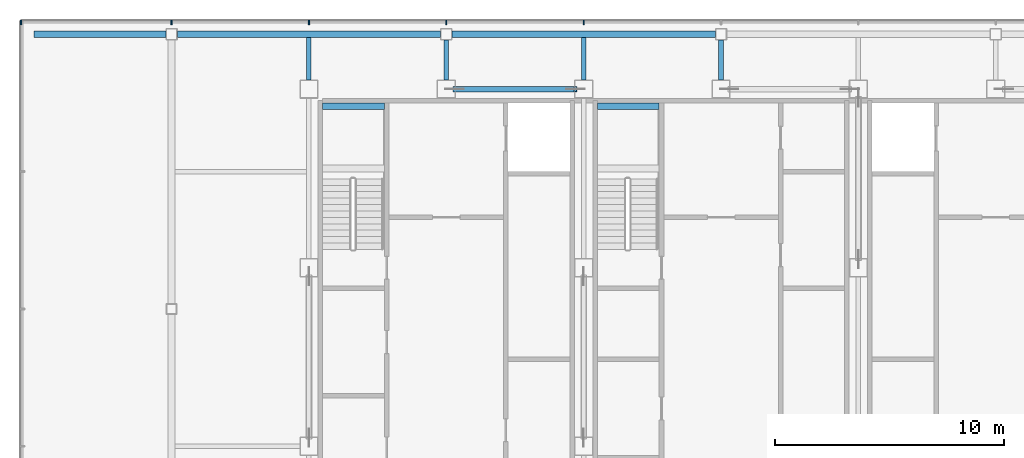
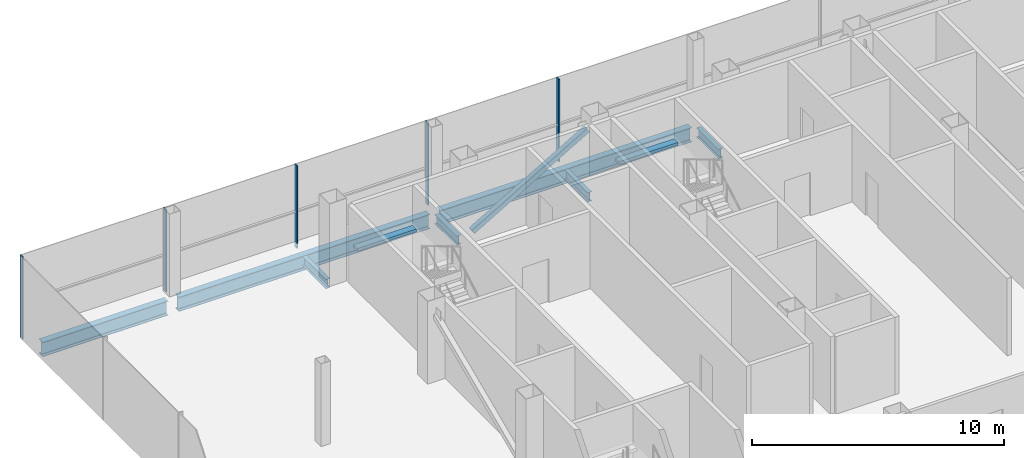
# One storey, part 10 of 18: 9 beams, 6 members, 1 element without a shape of its own.
"""IFC4 building model written with IfcOpenShell, lengths in metres."""

from ifc_helpers import new_model, si_unit, direction, frame, origin, origin_2d, place, context, subcontext, project, spatial, rectangle, hollow_rectangle, i_section, extrude, material, material_profile, profile_set, type_object, element, aggregate, save


model = new_model("IFC4")

# Units and contexts
model_context = context("Model", 3, precision=1e-05, world=origin(), true_north=direction((0.0, 1.0)))
body_context = subcontext(model_context, "Body", "Model", "MODEL_VIEW")
ifc_project = project(units=[si_unit("LENGTHUNIT", "METRE"), si_unit("AREAUNIT", "SQUARE_METRE"), si_unit("VOLUMEUNIT", "CUBIC_METRE"), si_unit("PLANEANGLEUNIT", "RADIAN"), si_unit("MASSUNIT", "GRAM", prefix="KILO")], contexts=[model_context])

# Site, building, storey
site_placement = place(None, origin())
site = spatial("IfcSite", under=ifc_project, at=site_placement, CompositionType="ELEMENT")
building_placement = place(site_placement, origin())
building = spatial("IfcBuilding", under=site, at=building_placement, Name="Sorahane Residences", CompositionType="ELEMENT")
storey_placement = place(building_placement, frame((0.0, 0.0, 345.800048828125)))
storey = spatial("IfcBuildingStorey", under=building, at=storey_placement, Name="L82", CompositionType="ELEMENT", Elevation=345.800048828125)

# Member
ifc_material_1 = material(Name="Steel Q355B", Category="steel")
ifc_material_profile_1 = material_profile(ifc_material_1, hollow_rectangle(XDim=0.25, YDim=0.25, WallThickness=0.011962890625, InnerFilletRadius=0.006103515625, OuterFilletRadius=0.01806640625, at=origin_2d()), Name="RHS 250x250x12")
ifc_profile_set_1 = profile_set([ifc_material_profile_1], Name="Steel Q355B")
member_type_1 = type_object("IfcMemberType", Name="Core brace RHS 250x250x12 Q355B", PredefinedType="BRACE", material=ifc_profile_set_1)
member_1_placement = place(storey_placement, frame((12.362060546875, 45.60009765625, 0.102783203125), z_axis=(0.862574842184, 0.0, 0.505929482864), x_axis=(0.0, 1.0, 0.0)))
element("IfcMember", 1, at=member_1_placement, inside=storey, type_object=member_type_1, Name="Core brace L82 y45.6-2", PredefinedType="BRACE", context=body_context, shape_type="SweptSolid", body=[
    extrude(hollow_rectangle(XDim=0.25, YDim=0.25, WallThickness=0.011962890625, InnerFilletRadius=0.006103515625, OuterFilletRadius=0.01806640625, at=origin_2d()), origin(), (0.0, 0.0, 1.0), 6.116455078125),
])

# Curtain wall, members
ifc_material_2 = material(Name="Dark low-e glass and black anodised aluminium", Category="aluminium")
curtain_wall_type = type_object("IfcCurtainWallType", Name="Curtain wall CW-6 Crown unitised wall", PredefinedType="NOTDEFINED", material=ifc_material_2)
curtain_wall_placement = place(storey_placement, origin())
curtain_wall = element("IfcCurtainWall", 2, at=curtain_wall_placement, inside=storey, type_object=curtain_wall_type, Name="CW-6 curtain wall L82 N1", PredefinedType="NOTDEFINED")
ifc_material_3 = material(Name="Black anodised aluminium", Category="aluminium")
ifc_material_profile_2 = material_profile(ifc_material_3, rectangle(XDim=0.199951171875, YDim=0.050048828125, at=origin_2d()), Name="Curtain wall mullion CW-6 black anodised aluminium 50x200")
ifc_profile_set_2 = profile_set([ifc_material_profile_2], Name="Black anodised aluminium")
member_type_2 = type_object("IfcMemberType", Name="Curtain wall mullion CW-6 black anodised aluminium 50x200", PredefinedType="MULLION", material=ifc_profile_set_2)
member_2_placement = place(storey_placement, frame((18.0, 48.52001953125, -0.25), z_axis=(0.0, 0.0, 1.0), x_axis=(0.0, 1.0, 0.0)))
member_2 = element("IfcMember", 3, at=member_2_placement, type_object=member_type_2, Name="CW-6 mullion L82 N1.5", PredefinedType="MULLION", context=body_context, shape_type="SweptSolid", body=[
    extrude(rectangle(XDim=0.199951171875, YDim=0.050048828125, at=origin_2d()), origin(), (0.0, 0.0, 1.0), 4.0),
])
member_3_placement = place(storey_placement, frame((12.0, 48.52001953125, -0.25), z_axis=(0.0, 0.0, 1.0), x_axis=(0.0, 1.0, 0.0)))
member_3 = element("IfcMember", 4, at=member_3_placement, type_object=member_type_2, Name="CW-6 mullion L82 N1.6", PredefinedType="MULLION", context=body_context, shape_type="SweptSolid", body=[
    extrude(rectangle(XDim=0.199951171875, YDim=0.050048828125, at=origin_2d()), origin(), (0.0, 0.0, 1.0), 4.0),
])
member_4_placement = place(storey_placement, frame((6.0, 48.52001953125, -0.25), z_axis=(0.0, 0.0, 1.0), x_axis=(0.0, 1.0, 0.0)))
member_4 = element("IfcMember", 5, at=member_4_placement, type_object=member_type_2, Name="CW-6 mullion L82 N1.7", PredefinedType="MULLION", context=body_context, shape_type="SweptSolid", body=[
    extrude(rectangle(XDim=0.199951171875, YDim=0.050048828125, at=origin_2d()), origin(), (0.0, 0.0, 1.0), 4.0),
])
member_5_placement = place(storey_placement, frame((0.0, 48.52001953125, -0.25), z_axis=(0.0, 0.0, 1.0), x_axis=(0.0, 1.0, 0.0)))
member_5 = element("IfcMember", 6, at=member_5_placement, type_object=member_type_2, Name="CW-6 mullion L82 N1.8", PredefinedType="MULLION", context=body_context, shape_type="SweptSolid", body=[
    extrude(rectangle(XDim=0.199951171875, YDim=0.050048828125, at=origin_2d()), origin(), (0.0, 0.0, 1.0), 4.0),
])
member_6_placement = place(storey_placement, frame((-6.574951171875, 48.52001953125, -0.25), z_axis=(0.0, 0.0, 1.0), x_axis=(0.0, 1.0, 0.0)))
member_6 = element("IfcMember", 7, at=member_6_placement, type_object=member_type_2, Name="CW-6 mullion L82 N1.9", PredefinedType="MULLION", context=body_context, shape_type="SweptSolid", body=[
    extrude(rectangle(XDim=0.199951171875, YDim=0.050048828125, at=origin_2d()), origin(), (0.0, 0.0, 1.0), 4.0),
])
aggregate(curtain_wall, [member_2, member_3, member_4, member_5, member_6])

# Beams
ifc_material_4 = material(Name="Concrete C40", Category="concrete")
ifc_material_profile_3 = material_profile(ifc_material_4, rectangle(XDim=0.300048828125, YDim=0.139892578125, at=origin_2d()), Name="300x140")
ifc_profile_set_3 = profile_set([ifc_material_profile_3], Name="Concrete C40")
beam_type_1 = type_object("IfcBeamType", Name="RC landing beam 300 x 140 Concrete C40", PredefinedType="BEAM", material=ifc_profile_set_3)
for number, where, z_axis, x_axis, name in (
    (8, (6.60009765625, 44.85009765625, 1.72998046875), (1.0, 0.0, 0.0), (0.0, 1.0, 0.0), "Landing beam"),
    (9, (18.60009765625, 44.85009765625, 1.72998046875), (1.0, 0.0, 0.0), (0.0, 1.0, 0.0), "Landing beam"),
):
    element("IfcBeam", number, at=place(storey_placement, frame(where, z_axis=z_axis, x_axis=x_axis)), inside=storey, type_object=beam_type_1, Name=name, PredefinedType="BEAM", context=body_context, shape_type="SweptSolid", body=[
        extrude(rectangle(XDim=0.300048828125, YDim=0.139892578125, at=origin_2d()), origin(), (0.0, 0.0, 1.0), 2.699951171875),
    ])
ifc_material_5 = material(Name="Steel Q355B", Category="steel")
ifc_material_profile_4 = material_profile(ifc_material_5, i_section(OverallWidth=0.199951171875, OverallDepth=0.449951171875, WebThickness=0.009033203125, FlangeThickness=0.013916015625, FilletRadius=0.02001953125, at=origin_2d()), Name="HN 450x200x9x14")
ifc_profile_set_4 = profile_set([ifc_material_profile_4], Name="Steel Q355B")
beam_type_2 = type_object("IfcBeamType", Name="Steel floor beam HN 450x200x9x14 Q355B", PredefinedType="BEAM", material=ifc_profile_set_4)
beam_1_placement = place(storey_placement, frame((6.0, 46.0, -0.47509765625), z_axis=(0.0, 1.0, 0.0), x_axis=(-1.0, 0.0, 0.0)))
element("IfcBeam", 10, at=beam_1_placement, inside=storey, type_object=beam_type_2, Name="Beam L82 015", PredefinedType="BEAM", context=body_context, shape_type="SweptSolid", body=[
    extrude(i_section(OverallWidth=0.199951171875, OverallDepth=0.449951171875, WebThickness=0.009033203125, FlangeThickness=0.013916015625, FilletRadius=0.02001953125, at=origin_2d()), origin(), (0.0, 0.0, 1.0), 1.85009765625),
])
beam_2_placement = place(storey_placement, frame((12.0, 46.0, -0.47509765625), z_axis=(0.0, 1.0, 0.0), x_axis=(-1.0, 0.0, 0.0)))
element("IfcBeam", 11, at=beam_2_placement, inside=storey, type_object=beam_type_2, Name="Beam L82 016", PredefinedType="BEAM", context=body_context, shape_type="SweptSolid", body=[
    extrude(i_section(OverallWidth=0.199951171875, OverallDepth=0.449951171875, WebThickness=0.009033203125, FlangeThickness=0.013916015625, FilletRadius=0.02001953125, at=origin_2d()), origin(), (0.0, 0.0, 1.0), 1.75),
])
beam_3_placement = place(storey_placement, frame((18.0, 46.0, -0.47509765625), z_axis=(0.0, 1.0, 0.0), x_axis=(-1.0, 0.0, 0.0)))
element("IfcBeam", 12, at=beam_3_placement, inside=storey, type_object=beam_type_2, Name="Beam L82 021", PredefinedType="BEAM", context=body_context, shape_type="SweptSolid", body=[
    extrude(i_section(OverallWidth=0.199951171875, OverallDepth=0.449951171875, WebThickness=0.009033203125, FlangeThickness=0.013916015625, FilletRadius=0.02001953125, at=origin_2d()), origin(), (0.0, 0.0, 1.0), 1.85009765625),
])
beam_4_placement = place(storey_placement, frame((24.0, 46.0, -0.47509765625), z_axis=(0.0, 1.0, 0.0), x_axis=(-1.0, 0.0, 0.0)))
element("IfcBeam", 13, at=beam_4_placement, inside=storey, type_object=beam_type_2, Name="Beam L82 022", PredefinedType="BEAM", context=body_context, shape_type="SweptSolid", body=[
    extrude(i_section(OverallWidth=0.199951171875, OverallDepth=0.449951171875, WebThickness=0.009033203125, FlangeThickness=0.013916015625, FilletRadius=0.02001953125, at=origin_2d()), origin(), (0.0, 0.0, 1.0), 1.75),
])
ifc_material_6 = material(Name="Steel Q355B", Category="steel")
ifc_material_profile_5 = material_profile(ifc_material_6, i_section(OverallWidth=0.300048828125, OverallDepth=0.699951171875, WebThickness=0.012939453125, FlangeThickness=0.02392578125, FilletRadius=0.028076171875, at=origin_2d()), Name="HN 700x300x13x24")
ifc_profile_set_5 = profile_set([ifc_material_profile_5], Name="Steel Q355B")
beam_type_3 = type_object("IfcBeamType", Name="Steel floor beam HN 700x300x13x24 Q355B", PredefinedType="BEAM", material=ifc_profile_set_5)
for number, where, z_axis, x_axis, name in (
    (14, (0.25, 48.0, -0.60009765625), (1.0, 0.0, 0.0), (0.0, 1.0, 0.0), "Beam L82 003"),
    (15, (12.25, 48.0, -0.60009765625), (1.0, 0.0, 0.0), (0.0, 1.0, 0.0), "Beam L82 004"),
):
    element("IfcBeam", number, at=place(storey_placement, frame(where, z_axis=z_axis, x_axis=x_axis)), inside=storey, type_object=beam_type_3, Name=name, PredefinedType="BEAM", context=body_context, shape_type="SweptSolid", body=[
        extrude(i_section(OverallWidth=0.300048828125, OverallDepth=0.699951171875, WebThickness=0.012939453125, FlangeThickness=0.02392578125, FilletRadius=0.028076171875, at=origin_2d()), origin(), (0.0, 0.0, 1.0), 11.5),
    ])
beam_5_placement = place(storey_placement, frame((-6.0, 48.0, -0.60009765625), z_axis=(1.0, 0.0, 0.0), x_axis=(0.0, 1.0, 0.0)))
element("IfcBeam", 16, at=beam_5_placement, inside=storey, type_object=beam_type_3, Name="Beam L82 006", PredefinedType="BEAM", context=body_context, shape_type="SweptSolid", body=[
    extrude(i_section(OverallWidth=0.300048828125, OverallDepth=0.699951171875, WebThickness=0.012939453125, FlangeThickness=0.02392578125, FilletRadius=0.028076171875, at=origin_2d()), origin(), (0.0, 0.0, 1.0), 5.75),
])

save(model, "model.ifc")
